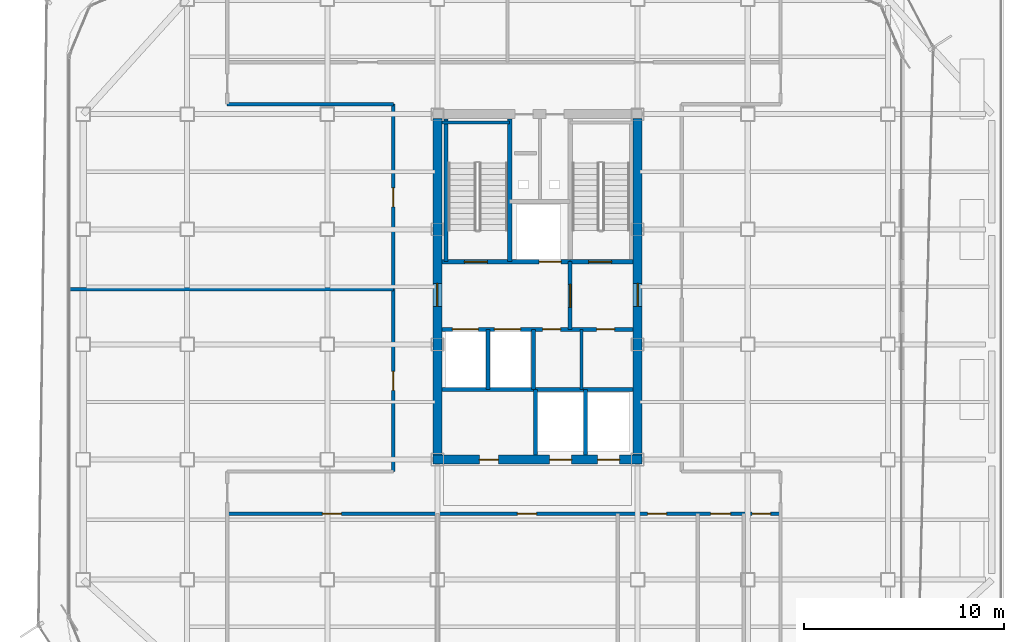
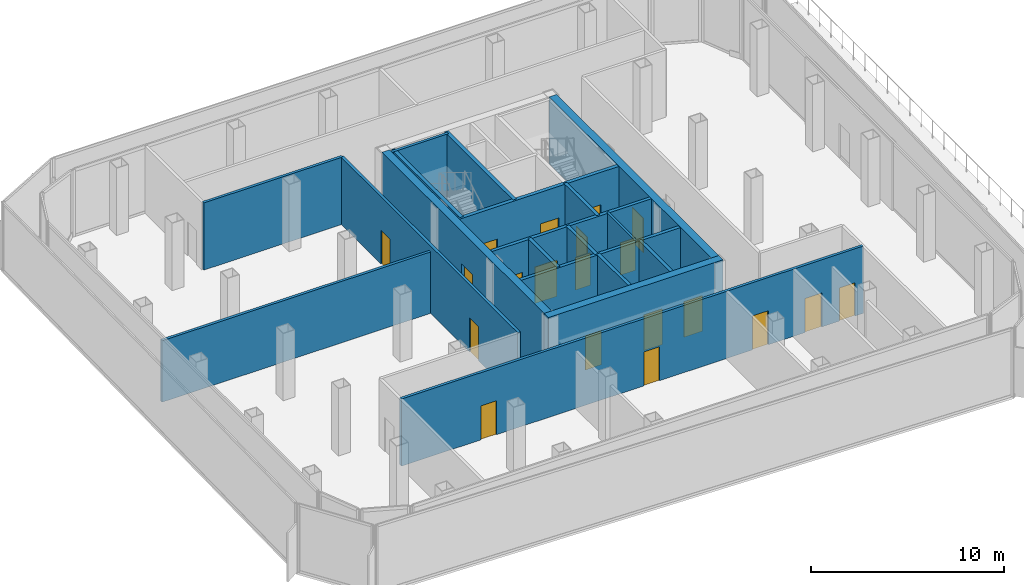
# One storey, part 10 of 14: 20 doors, 20 walls, 20 openings.
"""IFC4 building model written with IfcOpenShell, lengths in metres."""

from ifc_helpers import new_model, si_unit, direction, frame, frame_2d, origin, place, context, subcontext, project, spatial, rectangle, extrude, material, layer, layer_set, type_object, element, fill, save


model = new_model("IFC4")

# Units and contexts
model_context = context("Model", 3, precision=1e-05, world=origin(), true_north=direction((0.0, 1.0)))
body_context = subcontext(model_context, "Body", "Model", "MODEL_VIEW")
ifc_project = project(units=[si_unit("LENGTHUNIT", "METRE"), si_unit("AREAUNIT", "SQUARE_METRE"), si_unit("VOLUMEUNIT", "CUBIC_METRE"), si_unit("PLANEANGLEUNIT", "RADIAN"), si_unit("MASSUNIT", "GRAM", prefix="KILO")], contexts=[model_context])

# Site, building, storey
site_placement = place(None, origin())
site = spatial("IfcSite", under=ifc_project, at=site_placement, CompositionType="ELEMENT")
building_placement = place(site_placement, origin())
building = spatial("IfcBuilding", under=site, at=building_placement, Name="Kolveth Station Tower", CompositionType="ELEMENT")
storey_placement = place(building_placement, frame((0.0, 0.0, 151.60009765625)))
storey = spatial("IfcBuildingStorey", under=building, at=storey_placement, Name="L42", CompositionType="ELEMENT", Elevation=151.60009765625)

# Wall, openings, doors
ifc_material_1 = material(Name="Concrete C50/60", Category="concrete")
ifc_layer_1 = layer(ifc_material_1, 0.449951171875)
ifc_layer_set_1 = layer_set([ifc_layer_1], Name="Concrete C50/60")
wall_type_1 = type_object("IfcWallType", Name="Wall_CW-450", PredefinedType="SHEAR", material=ifc_layer_set_1)
wall_1_placement = place(storey_placement, frame((18.27490234375, 11.5, 0.0), z_axis=(0.0, 0.0, 1.0), x_axis=(1.0, 0.0, 0.0)))
wall_1 = element("IfcWall", 1, at=wall_1_placement, inside=storey, type_object=wall_type_1, Name="L42 Core RC Shear Wall S", PredefinedType="SHEAR", context=body_context, shape_type="SweptSolid", body=[
    extrude(rectangle(XDim=10.4501953125, YDim=0.449951171875, at=frame_2d((5.22509765625, 0.0))), origin(), (0.0, 0.0, 1.0), 4.25),
])
opening_1_placement = place(wall_1_placement, frame((2.324951171875, 0.0, 0.0)))
opening_1 = element("IfcOpeningElement", 2, at=opening_1_placement, cuts=wall_1, Name="Opening ID1", PredefinedType="OPENING", context=body_context, shape_type="SweptSolid", body=[
    extrude(rectangle(XDim=0.949951171875, YDim=2.14990234375, at=frame_2d((0.47509765625, 1.074951171875))), frame((0.0, 0.23486328125, 0.0), z_axis=(0.0, -1.0, 0.0), x_axis=(1.0, 0.0, 0.0)), (0.0, 0.0, 1.0), 0.469970703125),
])
opening_2_placement = place(wall_1_placement, frame((5.824951171875, 0.0, 0.0)))
opening_2 = element("IfcOpeningElement", 3, at=opening_2_placement, cuts=wall_1, Name="Opening LD1", PredefinedType="OPENING", context=body_context, shape_type="SweptSolid", body=[
    extrude(rectangle(XDim=1.10009765625, YDim=2.25, at=frame_2d((0.550048828125, 1.125))), frame((0.0, 0.23486328125, 0.0), z_axis=(0.0, -1.0, 0.0), x_axis=(1.0, 0.0, 0.0)), (0.0, 0.0, 1.0), 0.469970703125),
])
opening_3_placement = place(wall_1_placement, frame((8.22509765625, 0.0, 0.0)))
opening_3 = element("IfcOpeningElement", 4, at=opening_3_placement, cuts=wall_1, Name="Opening LD1", PredefinedType="OPENING", context=body_context, shape_type="SweptSolid", body=[
    extrude(rectangle(XDim=1.10009765625, YDim=2.25, at=frame_2d((0.550048828125, 1.125))), frame((0.0, 0.23486328125, 0.0), z_axis=(0.0, -1.0, 0.0), x_axis=(1.0, 0.0, 0.0)), (0.0, 0.0, 1.0), 0.469970703125),
])
ifc_material_2 = material(Name="Acoustic hardwood leaf and aluminium frame", Category="wood")
door_type_1 = type_object("IfcDoorType", Name="Door_ID1", OperationType="NOTDEFINED", PredefinedType="DOOR", material=ifc_material_2)
door_1_placement = place(opening_1_placement, frame((0.949951171875, 0.0, 0.0), z_axis=(0.0, 0.0, 1.0), x_axis=(-1.0, 0.0, 0.0)))
door_1 = element("IfcDoor", 5, at=door_1_placement, inside=storey, type_object=door_type_1, Name="L42 Hotel Pantry Door", OperationType="SINGLE_SWING_LEFT", OverallHeight=2.14990234375, OverallWidth=0.949951171875, PredefinedType="DOOR", context=body_context, shape_type="SweptSolid", body=[
    extrude(rectangle(XDim=0.949951171875, YDim=2.14990234375, at=frame_2d((0.47509765625, 1.074951171875))), frame((0.0, 0.02490234375, 0.0), z_axis=(0.0, -1.0, 0.0), x_axis=(1.0, 0.0, 0.0)), (0.0, 0.0, 1.0), 0.050048828125),
])
fill(opening_1, door_1)
ifc_material_3 = material(Name="Brushed stainless steel sliding landing doors", Category="steel")
door_type_2 = type_object("IfcDoorType", Name="Door_LD1", OperationType="NOTDEFINED", PredefinedType="DOOR", material=ifc_material_3)
door_2_placement = place(opening_2_placement, frame((1.10009765625, 0.0, 0.0), z_axis=(0.0, 0.0, 1.0), x_axis=(-1.0, 0.0, 0.0)))
door_2 = element("IfcDoor", 6, at=door_2_placement, inside=storey, type_object=door_type_2, Name="L42 Lift PM1 Landing Door", OperationType="DOUBLE_DOOR_SLIDING", OverallHeight=2.25, OverallWidth=1.10009765625, PredefinedType="DOOR", context=body_context, shape_type="SweptSolid", body=[
    extrude(rectangle(XDim=1.10009765625, YDim=2.25, at=frame_2d((0.550048828125, 1.125))), frame((0.0, 0.02490234375, 0.0), z_axis=(0.0, -1.0, 0.0), x_axis=(1.0, 0.0, 0.0)), (0.0, 0.0, 1.0), 0.050048828125),
])
fill(opening_2, door_2)
door_3_placement = place(opening_3_placement, frame((1.10009765625, 0.0, 0.0), z_axis=(0.0, 0.0, 1.0), x_axis=(-1.0, 0.0, 0.0)))
door_3 = element("IfcDoor", 7, at=door_3_placement, inside=storey, type_object=door_type_2, Name="L42 Lift PH1 Landing Door", OperationType="DOUBLE_DOOR_SLIDING", OverallHeight=2.25, OverallWidth=1.10009765625, PredefinedType="DOOR", context=body_context, shape_type="SweptSolid", body=[
    extrude(rectangle(XDim=1.10009765625, YDim=2.25, at=frame_2d((0.550048828125, 1.125))), frame((0.0, 0.02490234375, 0.0), z_axis=(0.0, -1.0, 0.0), x_axis=(1.0, 0.0, 0.0)), (0.0, 0.0, 1.0), 0.050048828125),
])
fill(opening_3, door_3)

# Wall, opening, door
wall_2_placement = place(storey_placement, frame((18.5, 11.72509765625, 0.0), z_axis=(0.0, 0.0, 1.0), x_axis=(0.0, 1.0, 0.0)))
wall_2 = element("IfcWall", 8, at=wall_2_placement, inside=storey, type_object=wall_type_1, Name="L42 Core RC Shear Wall W", PredefinedType="SHEAR", context=body_context, shape_type="SweptSolid", body=[
    extrude(rectangle(XDim=16.7998046875, YDim=0.449951171875, at=frame_2d((8.39990234375, 0.0))), origin(), (0.0, 0.0, 1.0), 4.25),
])
opening_4_placement = place(wall_2_placement, frame((7.425048828125, 0.0, 0.0)))
opening_4 = element("IfcOpeningElement", 9, at=opening_4_placement, cuts=wall_2, Name="Opening FD1", PredefinedType="OPENING", context=body_context, shape_type="SweptSolid", body=[
    extrude(rectangle(XDim=1.14990234375, YDim=2.199951171875, at=frame_2d((0.574951171875, 1.10009765625))), frame((0.0, 0.23486328125, 0.0), z_axis=(0.0, -1.0, 0.0), x_axis=(1.0, 0.0, 0.0)), (0.0, 0.0, 1.0), 0.469970703125),
])
ifc_material_4 = material(Name="Fire-rated Steel S355 leaf and frame", Category="steel")
door_type_3 = type_object("IfcDoorType", Name="Door_FD1", OperationType="NOTDEFINED", PredefinedType="DOOR", material=ifc_material_4)
door_4_placement = place(opening_4_placement, frame((1.14990234375, 0.0, 0.0), z_axis=(0.0, 0.0, 1.0), x_axis=(-1.0, 0.0, 0.0)))
door_4 = element("IfcDoor", 10, at=door_4_placement, inside=storey, type_object=door_type_3, Name="L42 West Corridor to Firefighting Lobby Door", OperationType="SINGLE_SWING_LEFT", OverallHeight=2.199951171875, OverallWidth=1.14990234375, PredefinedType="DOOR", context=body_context, shape_type="SweptSolid", body=[
    extrude(rectangle(XDim=1.14990234375, YDim=2.199951171875, at=frame_2d((0.574951171875, 1.10009765625))), frame((0.0, 0.02490234375, 0.0), z_axis=(0.0, -1.0, 0.0), x_axis=(1.0, 0.0, 0.0)), (0.0, 0.0, 1.0), 0.050048828125),
])
fill(opening_4, door_4)

wall_3_placement = place(storey_placement, frame((28.5, 11.72509765625, 0.0), z_axis=(0.0, 0.0, 1.0), x_axis=(0.0, 1.0, 0.0)))
wall_3 = element("IfcWall", 11, at=wall_3_placement, inside=storey, type_object=wall_type_1, Name="L42 Core RC Shear Wall E", PredefinedType="SHEAR", context=body_context, shape_type="SweptSolid", body=[
    extrude(rectangle(XDim=16.7998046875, YDim=0.449951171875, at=frame_2d((8.39990234375, 0.0))), origin(), (0.0, 0.0, 1.0), 4.25),
])
opening_5_placement = place(wall_3_placement, frame((7.425048828125, 0.0, 0.0)))
opening_5 = element("IfcOpeningElement", 12, at=opening_5_placement, cuts=wall_3, Name="Opening FD1", PredefinedType="OPENING", context=body_context, shape_type="SweptSolid", body=[
    extrude(rectangle(XDim=1.14990234375, YDim=2.199951171875, at=frame_2d((0.574951171875, 1.10009765625))), frame((0.0, 0.23486328125, 0.0), z_axis=(0.0, -1.0, 0.0), x_axis=(1.0, 0.0, 0.0)), (0.0, 0.0, 1.0), 0.469970703125),
])
door_5_placement = place(opening_5_placement, origin())
door_5 = element("IfcDoor", 13, at=door_5_placement, inside=storey, type_object=door_type_3, Name="L42 East Corridor to Stair Lobby Door", OperationType="SINGLE_SWING_RIGHT", OverallHeight=2.199951171875, OverallWidth=1.14990234375, PredefinedType="DOOR", context=body_context, shape_type="SweptSolid", body=[
    extrude(rectangle(XDim=1.14990234375, YDim=2.199951171875, at=frame_2d((0.574951171875, 1.10009765625))), frame((0.0, 0.02490234375, 0.0), z_axis=(0.0, -1.0, 0.0), x_axis=(1.0, 0.0, 0.0)), (0.0, 0.0, 1.0), 0.050048828125),
])
fill(opening_5, door_5)

# Walls
ifc_material_5 = material(Name="Moisture-resistant gypsum partition")
ifc_layer_2 = layer(ifc_material_5, 0.135009765625)
ifc_layer_set_2 = layer_set([ifc_layer_2], Name="Moisture-resistant gypsum partition")
wall_type_2 = type_object("IfcWallType", Name="Wall_IW-135", PredefinedType="PARTITIONING", material=ifc_layer_set_2)
wall_4_placement = place(storey_placement, frame((25.699951171875, 15.0, 0.0), z_axis=(0.0, 0.0, 1.0), x_axis=(0.0, 1.0, 0.0)))
element("IfcWall", 14, at=wall_4_placement, inside=storey, type_object=wall_type_2, Name="L42 Partition Wall WL-L42-CB-V1", PredefinedType="PARTITIONING", context=body_context, shape_type="SweptSolid", body=[
    extrude(rectangle(XDim=3.0, YDim=0.135009765625, at=frame_2d((1.5, 0.0))), origin(), (0.0, 0.0, 1.0), 4.25),
])
ifc_material_6 = material(Name="Acoustic double-stud gypsum partition")
ifc_layer_3 = layer(ifc_material_6, 0.1650390625)
ifc_layer_set_3 = layer_set([ifc_layer_3], Name="Acoustic double-stud gypsum partition")
wall_type_3 = type_object("IfcWallType", Name="Wall_IW-165", PredefinedType="PARTITIONING", material=ifc_layer_set_3)
wall_5_placement = place(storey_placement, frame((18.735107421875, 28.3349609375, 0.0), z_axis=(0.0, 0.0, 1.0), x_axis=(1.0, 0.0, 0.0)))
element("IfcWall", 15, at=wall_5_placement, inside=storey, type_object=wall_type_3, Name="L42 Stair Shaft Wall WL-L42-ST1-N", PredefinedType="PARTITIONING", context=body_context, shape_type="SweptSolid", body=[
    extrude(rectangle(XDim=3.375, YDim=0.1650390625, at=frame_2d((1.6875, 0.0))), origin(), (0.0, 0.0, 1.0), 4.25),
])

# Wall, openings, doors
wall_6_placement = place(storey_placement, frame((8.0, 8.800048828125, 0.0), z_axis=(0.0, 0.0, 1.0), x_axis=(1.0, 0.0, 0.0)))
wall_6 = element("IfcWall", 16, at=wall_6_placement, inside=storey, type_object=wall_type_3, Name="L42 Partition Wall WL-L42-SLS", PredefinedType="PARTITIONING", context=body_context, shape_type="SweptSolid", body=[
    extrude(rectangle(XDim=27.639892578125, YDim=0.1650390625, at=frame_2d((13.81982421875, 0.0))), origin(), (0.0, 0.0, 1.0), 4.25),
])
opening_6_placement = place(wall_6_placement, frame((4.75, 0.0, 0.0)))
opening_6 = element("IfcOpeningElement", 17, at=opening_6_placement, cuts=wall_6, Name="Opening ID1", PredefinedType="OPENING", context=body_context, shape_type="SweptSolid", body=[
    extrude(rectangle(XDim=0.949951171875, YDim=2.14990234375, at=frame_2d((0.47509765625, 1.074951171875))), frame((0.0, 0.092529296875, 0.0), z_axis=(0.0, -1.0, 0.0), x_axis=(1.0, 0.0, 0.0)), (0.0, 0.0, 1.0), 0.18505859375),
])
opening_7_placement = place(wall_6_placement, frame((14.5, 0.0, 0.0)))
opening_7 = element("IfcOpeningElement", 18, at=opening_7_placement, cuts=wall_6, Name="Opening ID1", PredefinedType="OPENING", context=body_context, shape_type="SweptSolid", body=[
    extrude(rectangle(XDim=0.949951171875, YDim=2.14990234375, at=frame_2d((0.47509765625, 1.074951171875))), frame((0.0, 0.092529296875, 0.0), z_axis=(0.0, -1.0, 0.0), x_axis=(1.0, 0.0, 0.0)), (0.0, 0.0, 1.0), 0.18505859375),
])
opening_8_placement = place(wall_6_placement, frame((21.0, 0.0, 0.0)))
opening_8 = element("IfcOpeningElement", 19, at=opening_8_placement, cuts=wall_6, Name="Opening ID1", PredefinedType="OPENING", context=body_context, shape_type="SweptSolid", body=[
    extrude(rectangle(XDim=0.949951171875, YDim=2.14990234375, at=frame_2d((0.47509765625, 1.074951171875))), frame((0.0, 0.092529296875, 0.0), z_axis=(0.0, -1.0, 0.0), x_axis=(1.0, 0.0, 0.0)), (0.0, 0.0, 1.0), 0.18505859375),
])
opening_9_placement = place(wall_6_placement, frame((24.14990234375, 0.0, 0.0)))
opening_9 = element("IfcOpeningElement", 20, at=opening_9_placement, cuts=wall_6, Name="Opening FD3", PredefinedType="OPENING", context=body_context, shape_type="SweptSolid", body=[
    extrude(rectangle(XDim=1.0, YDim=2.14990234375, at=frame_2d((0.5, 1.074951171875))), frame((0.0, 0.092529296875, 0.0), z_axis=(0.0, -1.0, 0.0), x_axis=(1.0, 0.0, 0.0)), (0.0, 0.0, 1.0), 0.18505859375),
])
opening_10_placement = place(wall_6_placement, frame((26.219970703125, 0.0, 0.0)))
opening_10 = element("IfcOpeningElement", 21, at=opening_10_placement, cuts=wall_6, Name="Opening ID2", PredefinedType="OPENING", context=body_context, shape_type="SweptSolid", body=[
    extrude(rectangle(XDim=0.919921875, YDim=2.10009765625, at=frame_2d((0.4599609375, 1.050048828125))), frame((0.0, 0.092529296875, 0.0), z_axis=(0.0, -1.0, 0.0), x_axis=(1.0, 0.0, 0.0)), (0.0, 0.0, 1.0), 0.18505859375),
])
ifc_material_7 = material(Name="Fire-rated hardwood leaf and aluminium frame", Category="wood")
door_type_4 = type_object("IfcDoorType", Name="Door_FD3", OperationType="NOTDEFINED", PredefinedType="DOOR", material=ifc_material_7)
door_6_placement = place(opening_9_placement, frame((1.0, 0.0, 0.0), z_axis=(0.0, 0.0, 1.0), x_axis=(-1.0, 0.0, 0.0)))
door_6 = element("IfcDoor", 22, at=door_6_placement, inside=storey, type_object=door_type_4, Name="L42 Sky Lobby Toilet Door", OperationType="SINGLE_SWING_LEFT", OverallHeight=2.14990234375, OverallWidth=1.0, PredefinedType="DOOR", context=body_context, shape_type="SweptSolid", body=[
    extrude(rectangle(XDim=1.0, YDim=2.14990234375, at=frame_2d((0.5, 1.074951171875))), frame((0.0, 0.02490234375, 0.0), z_axis=(0.0, -1.0, 0.0), x_axis=(1.0, 0.0, 0.0)), (0.0, 0.0, 1.0), 0.050048828125),
])
fill(opening_9, door_6)
door_7_placement = place(opening_6_placement, frame((0.949951171875, 0.0, 0.0), z_axis=(0.0, 0.0, 1.0), x_axis=(-1.0, 0.0, 0.0)))
door_7 = element("IfcDoor", 23, at=door_7_placement, inside=storey, type_object=door_type_1, Name="L42 Residents' Sky Lounge Door", OperationType="SINGLE_SWING_RIGHT", OverallHeight=2.14990234375, OverallWidth=0.949951171875, PredefinedType="DOOR", context=body_context, shape_type="SweptSolid", body=[
    extrude(rectangle(XDim=0.949951171875, YDim=2.14990234375, at=frame_2d((0.47509765625, 1.074951171875))), frame((0.0, 0.02490234375, 0.0), z_axis=(0.0, -1.0, 0.0), x_axis=(1.0, 0.0, 0.0)), (0.0, 0.0, 1.0), 0.050048828125),
])
fill(opening_6, door_7)
door_8_placement = place(opening_7_placement, frame((0.949951171875, 0.0, 0.0), z_axis=(0.0, 0.0, 1.0), x_axis=(-1.0, 0.0, 0.0)))
door_8 = element("IfcDoor", 24, at=door_8_placement, inside=storey, type_object=door_type_1, Name="L42 Sky Dining Salon Door", OperationType="SINGLE_SWING_LEFT", OverallHeight=2.14990234375, OverallWidth=0.949951171875, PredefinedType="DOOR", context=body_context, shape_type="SweptSolid", body=[
    extrude(rectangle(XDim=0.949951171875, YDim=2.14990234375, at=frame_2d((0.47509765625, 1.074951171875))), frame((0.0, 0.02490234375, 0.0), z_axis=(0.0, -1.0, 0.0), x_axis=(1.0, 0.0, 0.0)), (0.0, 0.0, 1.0), 0.050048828125),
])
fill(opening_7, door_8)
door_9_placement = place(opening_8_placement, frame((0.949951171875, 0.0, 0.0), z_axis=(0.0, 0.0, 1.0), x_axis=(-1.0, 0.0, 0.0)))
door_9 = element("IfcDoor", 25, at=door_9_placement, inside=storey, type_object=door_type_1, Name="L42 Sky Catering Pantry Door", OperationType="SINGLE_SWING_RIGHT", OverallHeight=2.14990234375, OverallWidth=0.949951171875, PredefinedType="DOOR", context=body_context, shape_type="SweptSolid", body=[
    extrude(rectangle(XDim=0.949951171875, YDim=2.14990234375, at=frame_2d((0.47509765625, 1.074951171875))), frame((0.0, 0.02490234375, 0.0), z_axis=(0.0, -1.0, 0.0), x_axis=(1.0, 0.0, 0.0)), (0.0, 0.0, 1.0), 0.050048828125),
])
fill(opening_8, door_9)
ifc_material_8 = material(Name="Moisture-resistant hardwood leaf", Category="wood")
door_type_5 = type_object("IfcDoorType", Name="Door_ID2", OperationType="NOTDEFINED", PredefinedType="DOOR", material=ifc_material_8)
door_10_placement = place(opening_10_placement, frame((0.919921875, 0.0, 0.0), z_axis=(0.0, 0.0, 1.0), x_axis=(-1.0, 0.0, 0.0)))
door_10 = element("IfcDoor", 26, at=door_10_placement, inside=storey, type_object=door_type_5, Name="L42 Accessible Sky WC Door", OperationType="SINGLE_SWING_RIGHT", OverallHeight=2.10009765625, OverallWidth=0.919921875, PredefinedType="DOOR", context=body_context, shape_type="SweptSolid", body=[
    extrude(rectangle(XDim=0.919921875, YDim=2.10009765625, at=frame_2d((0.4599609375, 1.050048828125))), frame((0.0, 0.02490234375, 0.0), z_axis=(0.0, -1.0, 0.0), x_axis=(1.0, 0.0, 0.0)), (0.0, 0.0, 1.0), 0.050048828125),
])
fill(opening_10, door_10)

# Wall
wall_7_placement = place(storey_placement, frame((8.0, 29.25, 0.0), z_axis=(0.0, 0.0, 1.0), x_axis=(1.0, 0.0, 0.0)))
element("IfcWall", 27, at=wall_7_placement, inside=storey, type_object=wall_type_3, Name="L42 Partition Wall WL-L42-SLNWB", PredefinedType="PARTITIONING", context=body_context, shape_type="SweptSolid", body=[
    extrude(rectangle(XDim=8.300048828125, YDim=0.1650390625, at=frame_2d((4.14990234375, 0.0))), origin(), (0.0, 0.0, 1.0), 4.25),
])

# Wall, openings, doors
wall_8_placement = place(storey_placement, frame((16.300048828125, 10.89990234375, 0.0), z_axis=(0.0, 0.0, 1.0), x_axis=(0.0, 1.0, 0.0)))
wall_8 = element("IfcWall", 28, at=wall_8_placement, inside=storey, type_object=wall_type_3, Name="L42 Partition Wall WL-L42-SLW", PredefinedType="PARTITIONING", context=body_context, shape_type="SweptSolid", body=[
    extrude(rectangle(XDim=18.35009765625, YDim=0.1650390625, at=frame_2d((9.175048828125, 0.0))), origin(), (0.0, 0.0, 1.0), 4.25),
])
opening_11_placement = place(wall_8_placement, frame((4.050048828125, 0.0, 0.0)))
opening_11 = element("IfcOpeningElement", 29, at=opening_11_placement, cuts=wall_8, Name="Opening ID1", PredefinedType="OPENING", context=body_context, shape_type="SweptSolid", body=[
    extrude(rectangle(XDim=0.949951171875, YDim=2.14990234375, at=frame_2d((0.47509765625, 1.074951171875))), frame((0.0, 0.092529296875, 0.0), z_axis=(0.0, -1.0, 0.0), x_axis=(1.0, 0.0, 0.0)), (0.0, 0.0, 1.0), 0.18505859375),
])
opening_12_placement = place(wall_8_placement, frame((13.22509765625, 0.0, 0.0)))
opening_12 = element("IfcOpeningElement", 30, at=opening_12_placement, cuts=wall_8, Name="Opening ID1", PredefinedType="OPENING", context=body_context, shape_type="SweptSolid", body=[
    extrude(rectangle(XDim=0.949951171875, YDim=2.14990234375, at=frame_2d((0.47509765625, 1.074951171875))), frame((0.0, 0.092529296875, 0.0), z_axis=(0.0, -1.0, 0.0), x_axis=(1.0, 0.0, 0.0)), (0.0, 0.0, 1.0), 0.18505859375),
])
door_11_placement = place(opening_11_placement, frame((0.949951171875, 0.0, 0.0), z_axis=(0.0, 0.0, 1.0), x_axis=(-1.0, 0.0, 0.0)))
door_11 = element("IfcDoor", 31, at=door_11_placement, inside=storey, type_object=door_type_1, Name="L42 Sky Meeting Suite West Door", OperationType="SINGLE_SWING_LEFT", OverallHeight=2.14990234375, OverallWidth=0.949951171875, PredefinedType="DOOR", context=body_context, shape_type="SweptSolid", body=[
    extrude(rectangle(XDim=0.949951171875, YDim=2.14990234375, at=frame_2d((0.47509765625, 1.074951171875))), frame((0.0, 0.02490234375, 0.0), z_axis=(0.0, -1.0, 0.0), x_axis=(1.0, 0.0, 0.0)), (0.0, 0.0, 1.0), 0.050048828125),
])
fill(opening_11, door_11)
door_12_placement = place(opening_12_placement, frame((0.949951171875, 0.0, 0.0), z_axis=(0.0, 0.0, 1.0), x_axis=(-1.0, 0.0, 0.0)))
door_12 = element("IfcDoor", 32, at=door_12_placement, inside=storey, type_object=door_type_1, Name="L42 Sky Quiet Study Door", OperationType="SINGLE_SWING_RIGHT", OverallHeight=2.14990234375, OverallWidth=0.949951171875, PredefinedType="DOOR", context=body_context, shape_type="SweptSolid", body=[
    extrude(rectangle(XDim=0.949951171875, YDim=2.14990234375, at=frame_2d((0.47509765625, 1.074951171875))), frame((0.0, 0.02490234375, 0.0), z_axis=(0.0, -1.0, 0.0), x_axis=(1.0, 0.0, 0.0)), (0.0, 0.0, 1.0), 0.050048828125),
])
fill(opening_12, door_12)

# Wall
wall_9_placement = place(storey_placement, frame((0.159912109375, 20.0, 0.0), z_axis=(0.0, 0.0, 1.0), x_axis=(1.0, 0.0, 0.0)))
element("IfcWall", 33, at=wall_9_placement, inside=storey, type_object=wall_type_3, Name="L42 Partition Wall WL-L42-SWG-P1", PredefinedType="PARTITIONING", context=body_context, shape_type="SweptSolid", body=[
    extrude(rectangle(XDim=16.14013671875, YDim=0.1650390625, at=frame_2d((8.070068359375, 0.0))), origin(), (0.0, 0.0, 1.0), 3.8828125),
])

# Wall, opening, door
ifc_material_9 = material(Name="Acoustic fire-rated gypsum blockwork", Category="masonry")
ifc_layer_4 = layer(ifc_material_9, 0.199951171875)
ifc_layer_set_4 = layer_set([ifc_layer_4], Name="Acoustic fire-rated gypsum blockwork")
wall_type_4 = type_object("IfcWallType", Name="Wall_IW-200", PredefinedType="PARTITIONING", material=ifc_layer_set_4)
wall_10_placement = place(storey_placement, frame((25.1298828125, 18.0, 0.0), z_axis=(0.0, 0.0, 1.0), x_axis=(0.0, 1.0, 0.0)))
wall_10 = element("IfcWall", 34, at=wall_10_placement, inside=storey, type_object=wall_type_4, Name="L42 Partition Wall WL-L42-FFL-E", PredefinedType="PARTITIONING", context=body_context, shape_type="SweptSolid", body=[
    extrude(rectangle(XDim=3.389892578125, YDim=0.199951171875, at=frame_2d((1.69482421875, 0.0))), origin(), (0.0, 0.0, 1.0), 4.25),
])
opening_13_placement = place(wall_10_placement, frame((1.10009765625, 0.0, 0.0)))
opening_13 = element("IfcOpeningElement", 35, at=opening_13_placement, cuts=wall_10, Name="Opening FD1", PredefinedType="OPENING", context=body_context, shape_type="SweptSolid", body=[
    extrude(rectangle(XDim=1.14990234375, YDim=2.199951171875, at=frame_2d((0.574951171875, 1.10009765625))), frame((0.0, 0.10986328125, 0.0), z_axis=(0.0, -1.0, 0.0), x_axis=(1.0, 0.0, 0.0)), (0.0, 0.0, 1.0), 0.219970703125),
])
door_13_placement = place(opening_13_placement, origin())
door_13 = element("IfcDoor", 36, at=door_13_placement, inside=storey, type_object=door_type_3, Name="L42 Firefighting to Stair Lobby Door", OperationType="SINGLE_SWING_RIGHT", OverallHeight=2.199951171875, OverallWidth=1.14990234375, PredefinedType="DOOR", context=body_context, shape_type="SweptSolid", body=[
    extrude(rectangle(XDim=1.14990234375, YDim=2.199951171875, at=frame_2d((0.574951171875, 1.10009765625))), frame((0.0, 0.02490234375, 0.0), z_axis=(0.0, -1.0, 0.0), x_axis=(1.0, 0.0, 0.0)), (0.0, 0.0, 1.0), 0.050048828125),
])
fill(opening_13, door_13)

# Wall, openings, doors
wall_11_placement = place(storey_placement, frame((18.735107421875, 18.0, 0.0), z_axis=(0.0, 0.0, 1.0), x_axis=(1.0, 0.0, 0.0)))
wall_11 = element("IfcWall", 37, at=wall_11_placement, inside=storey, type_object=wall_type_4, Name="L42 Partition Wall WL-L42-FFL-S", PredefinedType="PARTITIONING", context=body_context, shape_type="SweptSolid", body=[
    extrude(rectangle(XDim=9.52978515625, YDim=0.199951171875, at=frame_2d((4.764892578125, 0.0))), origin(), (0.0, 0.0, 1.0), 4.25),
])
opening_14_placement = place(wall_11_placement, frame((0.514892578125, 0.0, 0.0)))
opening_14 = element("IfcOpeningElement", 38, at=opening_14_placement, cuts=wall_11, Name="Opening LD2", PredefinedType="OPENING", context=body_context, shape_type="SweptSolid", body=[
    extrude(rectangle(XDim=1.300048828125, YDim=2.300048828125, at=frame_2d((0.64990234375, 1.14990234375))), frame((0.0, 0.10986328125, 0.0), z_axis=(0.0, -1.0, 0.0), x_axis=(1.0, 0.0, 0.0)), (0.0, 0.0, 1.0), 0.219970703125),
])
opening_15_placement = place(wall_11_placement, frame((2.614990234375, 0.0, 0.0)))
opening_15 = element("IfcOpeningElement", 39, at=opening_15_placement, cuts=wall_11, Name="Opening LD2", PredefinedType="OPENING", context=body_context, shape_type="SweptSolid", body=[
    extrude(rectangle(XDim=1.300048828125, YDim=2.300048828125, at=frame_2d((0.64990234375, 1.14990234375))), frame((0.0, 0.10986328125, 0.0), z_axis=(0.0, -1.0, 0.0), x_axis=(1.0, 0.0, 0.0)), (0.0, 0.0, 1.0), 0.219970703125),
])
opening_16_placement = place(wall_11_placement, frame((5.014892578125, 0.0, 0.0)))
opening_16 = element("IfcOpeningElement", 40, at=opening_16_placement, cuts=wall_11, Name="Opening RD1", PredefinedType="OPENING", context=body_context, shape_type="SweptSolid", body=[
    extrude(rectangle(XDim=0.89990234375, YDim=2.050048828125, at=frame_2d((0.449951171875, 1.02490234375))), frame((0.0, 0.10986328125, 0.0), z_axis=(0.0, -1.0, 0.0), x_axis=(1.0, 0.0, 0.0)), (0.0, 0.0, 1.0), 0.219970703125),
])
opening_17_placement = place(wall_11_placement, frame((7.715087890625, 0.0, 0.0)))
opening_17 = element("IfcOpeningElement", 41, at=opening_17_placement, cuts=wall_11, Name="Opening RD1", PredefinedType="OPENING", context=body_context, shape_type="SweptSolid", body=[
    extrude(rectangle(XDim=0.89990234375, YDim=2.050048828125, at=frame_2d((0.449951171875, 1.02490234375))), frame((0.0, 0.10986328125, 0.0), z_axis=(0.0, -1.0, 0.0), x_axis=(1.0, 0.0, 0.0)), (0.0, 0.0, 1.0), 0.219970703125),
])
ifc_material_10 = material(Name="Firefighting stainless steel sliding landing doors", Category="steel")
door_type_6 = type_object("IfcDoorType", Name="Door_LD2", OperationType="NOTDEFINED", PredefinedType="DOOR", material=ifc_material_10)
door_14_placement = place(opening_14_placement, origin())
door_14 = element("IfcDoor", 42, at=door_14_placement, inside=storey, type_object=door_type_6, Name="L42 Firefighting Lift FF1 Landing Door", OperationType="DOUBLE_DOOR_SLIDING", OverallHeight=2.300048828125, OverallWidth=1.300048828125, PredefinedType="DOOR", context=body_context, shape_type="SweptSolid", body=[
    extrude(rectangle(XDim=1.300048828125, YDim=2.300048828125, at=frame_2d((0.64990234375, 1.14990234375))), frame((0.0, 0.02490234375, 0.0), z_axis=(0.0, -1.0, 0.0), x_axis=(1.0, 0.0, 0.0)), (0.0, 0.0, 1.0), 0.050048828125),
])
fill(opening_14, door_14)
door_15_placement = place(opening_15_placement, origin())
door_15 = element("IfcDoor", 43, at=door_15_placement, inside=storey, type_object=door_type_6, Name="L42 Firefighting Lift FF2 Landing Door", OperationType="DOUBLE_DOOR_SLIDING", OverallHeight=2.300048828125, OverallWidth=1.300048828125, PredefinedType="DOOR", context=body_context, shape_type="SweptSolid", body=[
    extrude(rectangle(XDim=1.300048828125, YDim=2.300048828125, at=frame_2d((0.64990234375, 1.14990234375))), frame((0.0, 0.02490234375, 0.0), z_axis=(0.0, -1.0, 0.0), x_axis=(1.0, 0.0, 0.0)), (0.0, 0.0, 1.0), 0.050048828125),
])
fill(opening_15, door_15)
ifc_material_11 = material(Name="Fire-rated Steel S355 riser access leaf", Category="steel")
door_type_7 = type_object("IfcDoorType", Name="Door_RD1", OperationType="NOTDEFINED", PredefinedType="DOOR", material=ifc_material_11)
door_16_placement = place(opening_16_placement, frame((0.89990234375, 0.0, 0.0), z_axis=(0.0, 0.0, 1.0), x_axis=(-1.0, 0.0, 0.0)))
door_16 = element("IfcDoor", 44, at=door_16_placement, inside=storey, type_object=door_type_7, Name="L42 Core Accessible WC Door", OperationType="SINGLE_SWING_LEFT", OverallHeight=2.050048828125, OverallWidth=0.89990234375, PredefinedType="DOOR", context=body_context, shape_type="SweptSolid", body=[
    extrude(rectangle(XDim=0.89990234375, YDim=2.050048828125, at=frame_2d((0.449951171875, 1.02490234375))), frame((0.0, 0.02490234375, 0.0), z_axis=(0.0, -1.0, 0.0), x_axis=(1.0, 0.0, 0.0)), (0.0, 0.0, 1.0), 0.050048828125),
])
fill(opening_16, door_16)
door_17_placement = place(opening_17_placement, frame((0.89990234375, 0.0, 0.0), z_axis=(0.0, 0.0, 1.0), x_axis=(-1.0, 0.0, 0.0)))
door_17 = element("IfcDoor", 45, at=door_17_placement, inside=storey, type_object=door_type_7, Name="L42 Core Cleaner Store Door", OperationType="SINGLE_SWING_RIGHT", OverallHeight=2.050048828125, OverallWidth=0.89990234375, PredefinedType="DOOR", context=body_context, shape_type="SweptSolid", body=[
    extrude(rectangle(XDim=0.89990234375, YDim=2.050048828125, at=frame_2d((0.449951171875, 1.02490234375))), frame((0.0, 0.02490234375, 0.0), z_axis=(0.0, -1.0, 0.0), x_axis=(1.0, 0.0, 0.0)), (0.0, 0.0, 1.0), 0.050048828125),
])
fill(opening_17, door_17)

# Walls
for number, where, z_axis, x_axis, name in (
    (46, (21.02001953125, 15.0, 0.0), (0.0, 0.0, 1.0), (0.0, 1.0, 0.0), "L42 Partition Wall WL-L42-FF12"),
    (47, (23.300048828125, 15.0, 0.0), (0.0, 0.0, 1.0), (0.0, 1.0, 0.0), "L42 Partition Wall WL-L42-FF2E"),
):
    element("IfcWall", number, at=place(storey_placement, frame(where, z_axis=z_axis, x_axis=x_axis)), inside=storey, type_object=wall_type_4, Name=name, PredefinedType="PARTITIONING", context=body_context, shape_type="SweptSolid", body=[
        extrude(rectangle(XDim=3.0, YDim=0.199951171875, at=frame_2d((1.5, 0.0))), origin(), (0.0, 0.0, 1.0), 4.25),
    ])
wall_12_placement = place(storey_placement, frame((18.735107421875, 15.0, 0.0), z_axis=(0.0, 0.0, 1.0), x_axis=(1.0, 0.0, 0.0)))
element("IfcWall", 48, at=wall_12_placement, inside=storey, type_object=wall_type_4, Name="L42 Partition Wall WL-L42-BOH-S", PredefinedType="PARTITIONING", context=body_context, shape_type="SweptSolid", body=[
    extrude(rectangle(XDim=9.52978515625, YDim=0.199951171875, at=frame_2d((4.764892578125, 0.0))), origin(), (0.0, 0.0, 1.0), 4.25),
])
for number, where, z_axis, x_axis, name in (
    (49, (23.39990234375, 11.735107421875, 0.0), (0.0, 0.0, 1.0), (0.0, 1.0, 0.0), "L42 Partition Wall WL-L42-PL2E"),
    (50, (25.89990234375, 11.735107421875, 0.0), (0.0, 0.0, 1.0), (0.0, 1.0, 0.0), "L42 Partition Wall WL-L42-PMPH"),
):
    element("IfcWall", number, at=place(storey_placement, frame(where, z_axis=z_axis, x_axis=x_axis)), inside=storey, type_object=wall_type_4, Name=name, PredefinedType="PARTITIONING", context=body_context, shape_type="SweptSolid", body=[
        extrude(rectangle(XDim=3.264892578125, YDim=0.199951171875, at=frame_2d((1.63232421875, 0.0))), origin(), (0.0, 0.0, 1.0), 4.25),
    ])
ifc_material_12 = material(Name="Concrete C40/50", Category="concrete")
ifc_layer_5 = layer(ifc_material_12, 0.219970703125)
ifc_layer_set_5 = layer_set([ifc_layer_5], Name="Concrete C40/50")
wall_type_5 = type_object("IfcWallType", Name="Wall_IW-220", PredefinedType="SOLIDWALL", material=ifc_layer_set_5)
for number, where, z_axis, x_axis, name in (
    (51, (18.929931640625, 21.389892578125, 0.0), (0.0, 0.0, 1.0), (0.0, 1.0, 0.0), "L42 Stair Shaft Wall WL-L42-ST1-W"),
    (52, (22.110107421875, 21.389892578125, 0.0), (0.0, 0.0, 1.0), (0.0, 1.0, 0.0), "L42 Stair Shaft Wall WL-L42-ST1-E"),
):
    element("IfcWall", number, at=place(storey_placement, frame(where, z_axis=z_axis, x_axis=x_axis)), inside=storey, type_object=wall_type_5, Name=name, PredefinedType="SOLIDWALL", context=body_context, shape_type="SweptSolid", body=[
        extrude(rectangle(XDim=7.110107421875, YDim=0.219970703125, at=frame_2d((3.55517578125, 0.0))), origin(), (0.0, 0.0, 1.0), 4.25),
    ])

# Wall, openings, doors
wall_13_placement = place(storey_placement, frame((18.735107421875, 21.389892578125, 0.0), z_axis=(0.0, 0.0, 1.0), x_axis=(1.0, 0.0, 0.0)))
wall_13 = element("IfcWall", 53, at=wall_13_placement, inside=storey, type_object=wall_type_5, Name="L42 Stair Shaft Wall WL-L42-ST1-S", PredefinedType="SOLIDWALL", context=body_context, shape_type="SweptSolid", body=[
    extrude(rectangle(XDim=6.394775390625, YDim=0.219970703125, at=frame_2d((3.197265625, 0.0))), origin(), (0.0, 0.0, 1.0), 4.25),
])
opening_18_placement = place(wall_13_placement, frame((1.114990234375, 0.0, 0.0)))
opening_18 = element("IfcOpeningElement", 54, at=opening_18_placement, cuts=wall_13, Name="Opening FD1", PredefinedType="OPENING", context=body_context, shape_type="SweptSolid", body=[
    extrude(rectangle(XDim=1.14990234375, YDim=2.199951171875, at=frame_2d((0.574951171875, 1.10009765625))), frame((0.0, 0.119873046875, 0.0), z_axis=(0.0, -1.0, 0.0), x_axis=(1.0, 0.0, 0.0)), (0.0, 0.0, 1.0), 0.239990234375),
])
opening_19_placement = place(wall_13_placement, frame((4.844970703125, 0.0, 0.0)))
opening_19 = element("IfcOpeningElement", 55, at=opening_19_placement, cuts=wall_13, Name="Opening LD1", PredefinedType="OPENING", context=body_context, shape_type="SweptSolid", body=[
    extrude(rectangle(XDim=1.10009765625, YDim=2.25, at=frame_2d((0.550048828125, 1.125))), frame((0.0, 0.119873046875, 0.0), z_axis=(0.0, -1.0, 0.0), x_axis=(1.0, 0.0, 0.0)), (0.0, 0.0, 1.0), 0.239990234375),
])
door_18_placement = place(opening_18_placement, frame((1.14990234375, 0.0, 0.0), z_axis=(0.0, 0.0, 1.0), x_axis=(-1.0, 0.0, 0.0)))
door_18 = element("IfcDoor", 56, at=door_18_placement, inside=storey, type_object=door_type_3, Name="L42 Stair ST1 Fire Door", OperationType="SINGLE_SWING_RIGHT", OverallHeight=2.199951171875, OverallWidth=1.14990234375, PredefinedType="DOOR", context=body_context, shape_type="SweptSolid", body=[
    extrude(rectangle(XDim=1.14990234375, YDim=2.199951171875, at=frame_2d((0.574951171875, 1.10009765625))), frame((0.0, 0.02490234375, 0.0), z_axis=(0.0, -1.0, 0.0), x_axis=(1.0, 0.0, 0.0)), (0.0, 0.0, 1.0), 0.050048828125),
])
fill(opening_18, door_18)
door_19_placement = place(opening_19_placement, frame((1.10009765625, 0.0, 0.0), z_axis=(0.0, 0.0, 1.0), x_axis=(-1.0, 0.0, 0.0)))
door_19 = element("IfcDoor", 57, at=door_19_placement, inside=storey, type_object=door_type_2, Name="L42 Service Lift SV1 Landing Door", OperationType="DOUBLE_DOOR_SLIDING", OverallHeight=2.25, OverallWidth=1.10009765625, PredefinedType="DOOR", context=body_context, shape_type="SweptSolid", body=[
    extrude(rectangle(XDim=1.10009765625, YDim=2.25, at=frame_2d((0.550048828125, 1.125))), frame((0.0, 0.02490234375, 0.0), z_axis=(0.0, -1.0, 0.0), x_axis=(1.0, 0.0, 0.0)), (0.0, 0.0, 1.0), 0.050048828125),
])
fill(opening_19, door_19)

# Wall, opening, door
wall_14_placement = place(storey_placement, frame((25.1298828125, 21.389892578125, 0.0), z_axis=(0.0, 0.0, 1.0), x_axis=(1.0, 0.0, 0.0)))
wall_14 = element("IfcWall", 58, at=wall_14_placement, inside=storey, type_object=wall_type_5, Name="L42 Stair Shaft Wall WL-L42-ST2-S", PredefinedType="SOLIDWALL", context=body_context, shape_type="SweptSolid", body=[
    extrude(rectangle(XDim=3.135009765625, YDim=0.219970703125, at=frame_2d((1.5673828125, 0.0))), origin(), (0.0, 0.0, 1.0), 4.25),
])
opening_20_placement = place(wall_14_placement, frame((0.919921875, 0.0, 0.0)))
opening_20 = element("IfcOpeningElement", 59, at=opening_20_placement, cuts=wall_14, Name="Opening FD1", PredefinedType="OPENING", context=body_context, shape_type="SweptSolid", body=[
    extrude(rectangle(XDim=1.14990234375, YDim=2.199951171875, at=frame_2d((0.574951171875, 1.10009765625))), frame((0.0, 0.119873046875, 0.0), z_axis=(0.0, -1.0, 0.0), x_axis=(1.0, 0.0, 0.0)), (0.0, 0.0, 1.0), 0.239990234375),
])
door_20_placement = place(opening_20_placement, frame((1.14990234375, 0.0, 0.0), z_axis=(0.0, 0.0, 1.0), x_axis=(-1.0, 0.0, 0.0)))
door_20 = element("IfcDoor", 60, at=door_20_placement, inside=storey, type_object=door_type_3, Name="L42 Stair ST2 Fire Door", OperationType="SINGLE_SWING_LEFT", OverallHeight=2.199951171875, OverallWidth=1.14990234375, PredefinedType="DOOR", context=body_context, shape_type="SweptSolid", body=[
    extrude(rectangle(XDim=1.14990234375, YDim=2.199951171875, at=frame_2d((0.574951171875, 1.10009765625))), frame((0.0, 0.02490234375, 0.0), z_axis=(0.0, -1.0, 0.0), x_axis=(1.0, 0.0, 0.0)), (0.0, 0.0, 1.0), 0.050048828125),
])
fill(opening_20, door_20)

save(model, "model.ifc")
